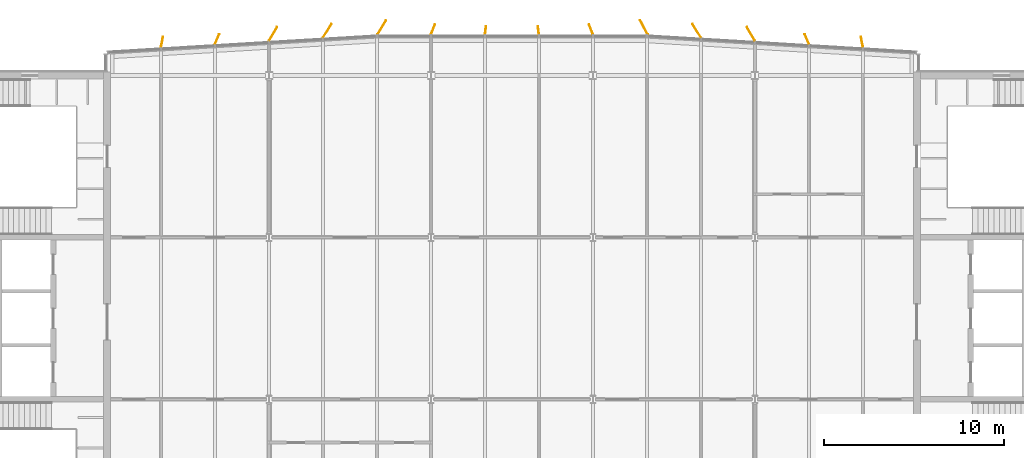
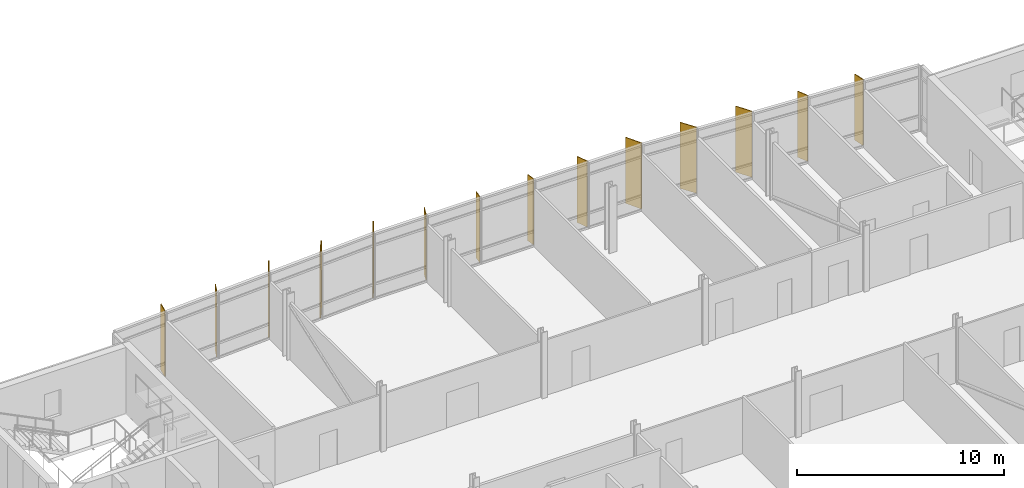
# One storey, part 18 of 18: 14 shading devices.
"""IFC4 building model written with IfcOpenShell, lengths in metres."""

import ifcopenshell
import ifcopenshell.guid

model = None  # the IFC model being written
_history = None  # IfcOwnerHistory: only IFC2X3 demands one
_inside = {}  # id of a spatial element -> (the spatial element, [elements in it])
_under = {}  # id of a project, library or spatial element -> (it, [spatial elements below it])
_declared = {}  # id of a project -> (the project, [libraries it declares])
_typed = {}  # id of a type object -> (the type object, [elements of that type])
_made_of = {}  # id of a material, layer set ... -> (it, [elements and type objects made of it])


def new_model(schema):
    """Start an empty IFC model of exactly this schema.

    Asked for "IFC4X3", IfcOpenShell would pick the latest addendum, in which some entities
    have other attributes; the version numbers below select the first issue.
    IFC2X3 requires an IfcOwnerHistory on every rooted entity: one is made here for all.
    """
    global model, _history
    if schema == "IFC4X3":
        model = ifcopenshell.file(schema_version=(4, 3, 0, 0))
    else:
        model = ifcopenshell.file(schema=schema)
    _inside.clear()
    _under.clear()
    _declared.clear()
    _typed.clear()
    _made_of.clear()
    _history = None
    if model.schema == "IFC2X3":
        org = make("IfcOrganization", Name="unknown")
        user = make(
            "IfcPersonAndOrganization",
            ThePerson=make("IfcPerson", FamilyName="unknown"),
            TheOrganization=org,
        )
        app = make(
            "IfcApplication",
            ApplicationDeveloper=org,
            Version="unknown",
            ApplicationFullName="unknown",
            ApplicationIdentifier="unknown",
        )
        _history = make(
            "IfcOwnerHistory",
            OwningUser=user,
            OwningApplication=app,
            ChangeAction="ADDED",
            CreationDate=0,
        )
    return model


def make(cls, **values):
    """One entity of the class cls with the attributes given. An attribute that is None is left unset."""
    return model.create_entity(
        cls, **{name: value for name, value in values.items() if value is not None}
    )


def rooted(cls, **values):
    """An entity with a GlobalId (a new one), such as an element, a storey or a relation."""
    return make(cls, GlobalId=ifcopenshell.guid.new(), OwnerHistory=_history, **values)


def si_unit(unit_type, name, prefix=None):
    """IfcSIUnit, for example si_unit("LENGTHUNIT", "METRE", prefix="MILLI")."""
    return make("IfcSIUnit", UnitType=unit_type, Prefix=prefix, Name=name)


def assignment(units):
    """IfcUnitAssignment: the units of a project."""
    return None if units is None else make("IfcUnitAssignment", Units=units)


def point(xyz):
    """IfcCartesianPoint."""
    return None if xyz is None else make("IfcCartesianPoint", Coordinates=xyz)


def direction(xyz):
    """IfcDirection."""
    return None if xyz is None else make("IfcDirection", DirectionRatios=xyz)


def frame(location, z_axis=None, x_axis=None):
    """IfcAxis2Placement3D, a coordinate frame: its origin and axes. An axis left out is left unset."""
    return make(
        "IfcAxis2Placement3D",
        Location=point(location),
        Axis=direction(z_axis),
        RefDirection=direction(x_axis),
    )


def frame_2d(location, x_axis=None):
    """IfcAxis2Placement2D, a coordinate frame in the plane: its origin and x axis."""
    return make(
        "IfcAxis2Placement2D", Location=point(location), RefDirection=direction(x_axis)
    )


def origin():
    """The frame at (0, 0, 0) with its axes left unset."""
    return frame((0.0, 0.0, 0.0))


def origin_2d():
    """The frame at (0, 0) in the plane with its x axis left unset."""
    return frame_2d((0.0, 0.0))


def place(relative_to, where):
    """IfcLocalPlacement: puts the frame where relative to a parent placement (None: the world)."""
    return make(
        "IfcLocalPlacement", PlacementRelTo=relative_to, RelativePlacement=where
    )


def context(
    kind, dimensions, precision=None, world=None, true_north=None, identifier=None
):
    """IfcGeometricRepresentationContext, for example the 3D "Model" context."""
    return make(
        "IfcGeometricRepresentationContext",
        ContextIdentifier=identifier,
        ContextType=kind,
        CoordinateSpaceDimension=dimensions,
        Precision=precision,
        WorldCoordinateSystem=world,
        TrueNorth=true_north,
    )


def subcontext(parent, identifier, kind, view, scale=None):
    """IfcGeometricRepresentationSubContext, for example "Body" below "Model"."""
    return make(
        "IfcGeometricRepresentationSubContext",
        ContextIdentifier=identifier,
        ContextType=kind,
        ParentContext=parent,
        TargetScale=scale,
        TargetView=view,
    )


def project(units=None, contexts=None):
    """IfcProject with its units and contexts."""
    return rooted(
        "IfcProject",
        Name="project",
        RepresentationContexts=contexts,
        UnitsInContext=assignment(units),
    )


def spatial(cls, under=None, at=None, **own):
    """A site, building, storey or space (cls), placed at a placement, below another one or the project."""
    s = rooted(cls, ObjectPlacement=at, **own)
    if under is not None:
        _under.setdefault(under.id(), (under, []))[1].append(s)
    return s


def profile(cls, at=None, kind="AREA", **sizes):
    """A parametric profile (cls). Its sizes go by their IFC names, for example OverallWidth=200.0."""
    return make(cls, ProfileType=kind, Position=at, **sizes)


def rectangle(**sizes):
    """IfcRectangleProfileDef."""
    return profile("IfcRectangleProfileDef", **sizes)


def extrude(swept, where, along, depth):
    """IfcExtrudedAreaSolid: the profile swept, set in the frame where, extruded along a direction by depth."""
    return make(
        "IfcExtrudedAreaSolid",
        SweptArea=swept,
        Position=where,
        ExtrudedDirection=direction(along),
        Depth=depth,
    )


def shape(context_of_items, identifier, shape_type, items):
    """IfcShapeRepresentation: the items that make up one representation, for example the "Body"."""
    return make(
        "IfcShapeRepresentation",
        ContextOfItems=context_of_items,
        RepresentationIdentifier=identifier,
        RepresentationType=shape_type,
        Items=items,
    )


def material(Name=None, Category=None):
    """IfcMaterial."""
    return make("IfcMaterial", Name=Name, Category=Category)


def layer(
    of_material, thickness, ventilated=None, Name=None, Category=None, Priority=None
):
    """IfcMaterialLayer: one layer of a wall or slab, of a material (None: an air gap)."""
    return make(
        "IfcMaterialLayer",
        Material=of_material,
        LayerThickness=thickness,
        IsVentilated=ventilated,
        Name=Name,
        Category=Category,
        Priority=Priority,
    )


def layer_set(layers, Name=None):
    """IfcMaterialLayerSet."""
    return make("IfcMaterialLayerSet", MaterialLayers=layers, LayerSetName=Name)


def made_of(thing, what):
    """Note that an element or type object is made of a material, layer set ...; save() writes the relation."""
    if what is not None:
        _made_of.setdefault(what.id(), (what, []))[1].append(thing)
    return thing


def type_object(cls, material=None, **own):
    """A type object (cls), such as IfcWallType, which elements share."""
    return made_of(rooted(cls, **own), material)


def element(
    cls,
    number,
    at=None,
    inside=None,
    cuts=None,
    type_object=None,
    material=None,
    context=None,
    identifier="Body",
    shape_type=None,
    held_by="IfcProductDefinitionShape",
    body=None,
    shapes=None,
    **own,
):
    """One element of the class cls, such as IfcWall. Its Tag is "e" and its number.

    at: its placement. inside: the storey or other place that contains it. cuts: it is an
    opening in that element (IfcRelVoidsElement). A single representation is given by context,
    identifier, shape_type and body (its items); several are given by shapes. held_by: the class
    of the entity that holds the representations. save() writes the other relations.
    """
    e = rooted(cls, Tag="e%d" % number, ObjectPlacement=at, **own)
    if body is not None:
        shapes = [shape(context, identifier, shape_type, body)]
    if shapes is not None:
        e.Representation = make(held_by, Representations=shapes)
    if inside is not None:
        _inside.setdefault(inside.id(), (inside, []))[1].append(e)
    if cuts is not None:
        rooted(
            "IfcRelVoidsElement", RelatingBuildingElement=cuts, RelatedOpeningElement=e
        )
    if type_object is not None:
        _typed.setdefault(type_object.id(), (type_object, []))[1].append(e)
    return made_of(e, material)


def aggregate(whole, parts):
    """IfcRelAggregates: a whole, such as a stair, and the parts it consists of."""
    return rooted("IfcRelAggregates", RelatingObject=whole, RelatedObjects=parts)


def save(model, path):
    """Write the relations noted so far, then the file.

    IfcRelAggregates (storeys below a building ...), IfcRelContainedInSpatialStructure (elements
    in a storey), IfcRelDefinesByType, IfcRelAssociatesMaterial and IfcRelDeclares: one each for
    every whole, place, type object, material and project.
    """
    for whole, parts in _under.values():
        aggregate(whole, parts)
    for where, things in _inside.values():
        rooted(
            "IfcRelContainedInSpatialStructure",
            RelatedElements=things,
            RelatingStructure=where,
        )
    for kind, things in _typed.values():
        rooted("IfcRelDefinesByType", RelatedObjects=things, RelatingType=kind)
    for what, things in _made_of.values():
        rooted("IfcRelAssociatesMaterial", RelatedObjects=things, RelatingMaterial=what)
    for by, libraries in _declared.values():
        rooted("IfcRelDeclares", RelatingContext=by, RelatedDefinitions=libraries)
    model.write(path)


model = new_model("IFC4")

# Units and contexts
model_context = context("Model", 3, precision=1e-05, world=origin(), true_north=direction((0.0, 1.0)))
body_context = subcontext(model_context, "Body", "Model", "MODEL_VIEW")
ifc_project = project(units=[si_unit("LENGTHUNIT", "METRE"), si_unit("AREAUNIT", "SQUARE_METRE"), si_unit("VOLUMEUNIT", "CUBIC_METRE"), si_unit("PLANEANGLEUNIT", "RADIAN"), si_unit("MASSUNIT", "GRAM", prefix="KILO")], contexts=[model_context])

# Site, building, storey
site_placement = place(None, origin())
site = spatial("IfcSite", under=ifc_project, at=site_placement, CompositionType="ELEMENT")
building_placement = place(site_placement, origin())
building = spatial("IfcBuilding", under=site, at=building_placement, Name="Azimuth Sports and Learning Centre", CompositionType="ELEMENT")
storey_placement = place(building_placement, frame((0.0, 0.0, 55.800048828125)))
storey = spatial("IfcBuildingStorey", under=building, at=storey_placement, Name="L12", CompositionType="ELEMENT", Elevation=55.800048828125)

# Shading devices
ifc_material_1 = material(Name="Aluminium", Category="aluminium")
ifc_layer_1 = layer(ifc_material_1, 0.0400390625)
ifc_layer_set_1 = layer_set([ifc_layer_1], Name="Aluminium")
shading_device_type_1 = type_object("IfcShadingDeviceType", Name="Shading fin 450", PredefinedType="JALOUSIE", material=ifc_layer_set_1)
for number, where, z_axis, x_axis, name in (
    (1, (86.970703125, 119.503173828125, 0.0), (0.0, 0.0, 1.0), (-0.130263528306, 0.991479406338, 0.0), "Shading fin F12-021"),
    (2, (84.029296875, 119.503173828125, 0.0), (0.0, 0.0, 1.0), (0.130263528306, 0.991479406338, 0.0), "Shading fin F12-022"),
):
    element("IfcShadingDevice", number, at=place(storey_placement, frame(where, z_axis=z_axis, x_axis=x_axis)), inside=storey, type_object=shading_device_type_1, Name=name, PredefinedType="JALOUSIE", context=body_context, shape_type="SweptSolid", body=[
        extrude(rectangle(XDim=0.449951171875, YDim=0.0400390625, at=origin_2d()), origin(), (0.0, 0.0, 1.0), 3.89990234375),
    ])
ifc_material_2 = material(Name="Aluminium", Category="aluminium")
ifc_layer_2 = layer(ifc_material_2, 0.0400390625)
ifc_layer_set_2 = layer_set([ifc_layer_2], Name="Aluminium")
shading_device_type_2 = type_object("IfcShadingDeviceType", Name="Shading fin 600", PredefinedType="JALOUSIE", material=ifc_layer_set_2)
for number, where, z_axis, x_axis, name in (
    (3, (104.952392578125, 118.85400390625, 0.0), (0.0, 0.0, 1.0), (-0.19438682666, 0.980924952084, 0.0), "Shading fin F12-015"),
    (4, (101.89208984375, 119.01513671875, 0.0), (0.0, 0.0, 1.0), (-0.395859673937, 0.918311014064, 0.0), "Shading fin F12-016"),
    (5, (89.8916015625, 119.559814453125, 0.0), (0.0, 0.0, 1.0), (-0.36097797694, 0.932574340288, 0.0), "Shading fin F12-020"),
    (6, (81.1083984375, 119.559814453125, 0.0), (0.0, 0.0, 1.0), (0.36097797694, 0.932574340288, 0.0), "Shading fin F12-023"),
    (7, (69.10791015625, 119.01513671875, 0.0), (0.0, 0.0, 1.0), (0.395859673937, 0.918311014064, 0.0), "Shading fin F12-027"),
    (8, (66.047607421875, 118.85400390625, 0.0), (0.0, 0.0, 1.0), (0.19438682666, 0.980924952084, 0.0), "Shading fin F12-028"),
):
    element("IfcShadingDevice", number, at=place(storey_placement, frame(where, z_axis=z_axis, x_axis=x_axis)), inside=storey, type_object=shading_device_type_2, Name=name, PredefinedType="JALOUSIE", context=body_context, shape_type="SweptSolid", body=[
        extrude(rectangle(XDim=0.60009765625, YDim=0.0400390625, at=origin_2d()), origin(), (0.0, 0.0, 1.0), 3.89990234375),
    ])
ifc_material_3 = material(Name="Aluminium", Category="aluminium")
ifc_layer_3 = layer(ifc_material_3, 0.0400390625)
ifc_layer_set_3 = layer_set([ifc_layer_3], Name="Aluminium")
shading_device_type_3 = type_object("IfcShadingDeviceType", Name="Shading fin 900", PredefinedType="JALOUSIE", material=ifc_layer_set_3)
for number, where, z_axis, x_axis, name in (
    (9, (98.7802734375, 119.30615234375, 0.0), (0.0, 0.0, 1.0), (-0.512109147283, 0.858920381217, 0.0), "Shading fin F12-017"),
    (10, (95.769775390625, 119.479736328125, 0.0), (0.0, 0.0, 1.0), (-0.535372471366, 0.844616076631, 0.0), "Shading fin F12-018"),
    (11, (92.831298828125, 119.676025390625, 0.0), (0.0, 0.0, 1.0), (-0.465511049865, 0.885042068183, 0.0), "Shading fin F12-019"),
    (12, (78.262939453125, 119.6650390625, 0.0), (0.0, 0.0, 1.0), (0.517682326227, 0.855572912797, 0.0), "Shading fin F12-024"),
    (13, (75.230224609375, 119.479736328125, 0.0), (0.0, 0.0, 1.0), (0.535372471366, 0.844616076631, 0.0), "Shading fin F12-025"),
    (14, (72.2197265625, 119.30615234375, 0.0), (0.0, 0.0, 1.0), (0.512109147283, 0.858920381217, 0.0), "Shading fin F12-026"),
):
    element("IfcShadingDevice", number, at=place(storey_placement, frame(where, z_axis=z_axis, x_axis=x_axis)), inside=storey, type_object=shading_device_type_3, Name=name, PredefinedType="JALOUSIE", context=body_context, shape_type="SweptSolid", body=[
        extrude(rectangle(XDim=0.89990234375, YDim=0.0400390625, at=origin_2d()), origin(), (0.0, 0.0, 1.0), 3.89990234375),
    ])

save(model, "model.ifc")
